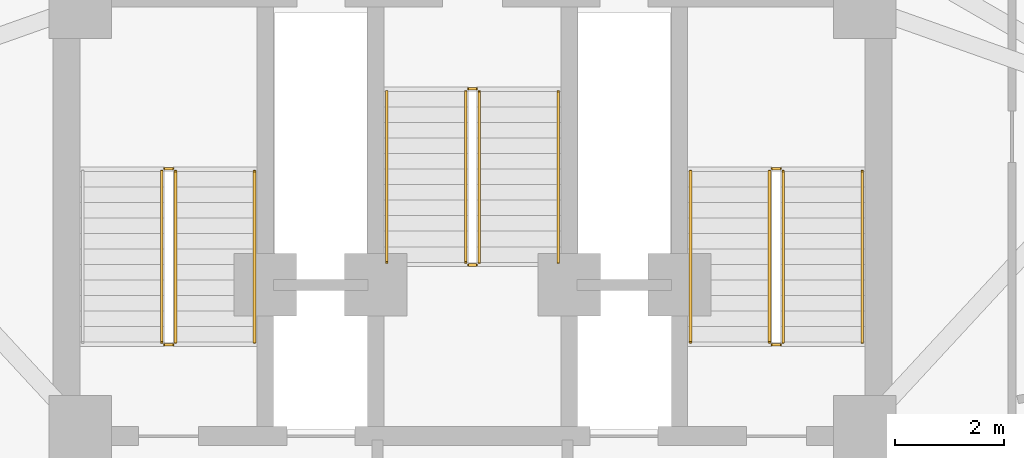
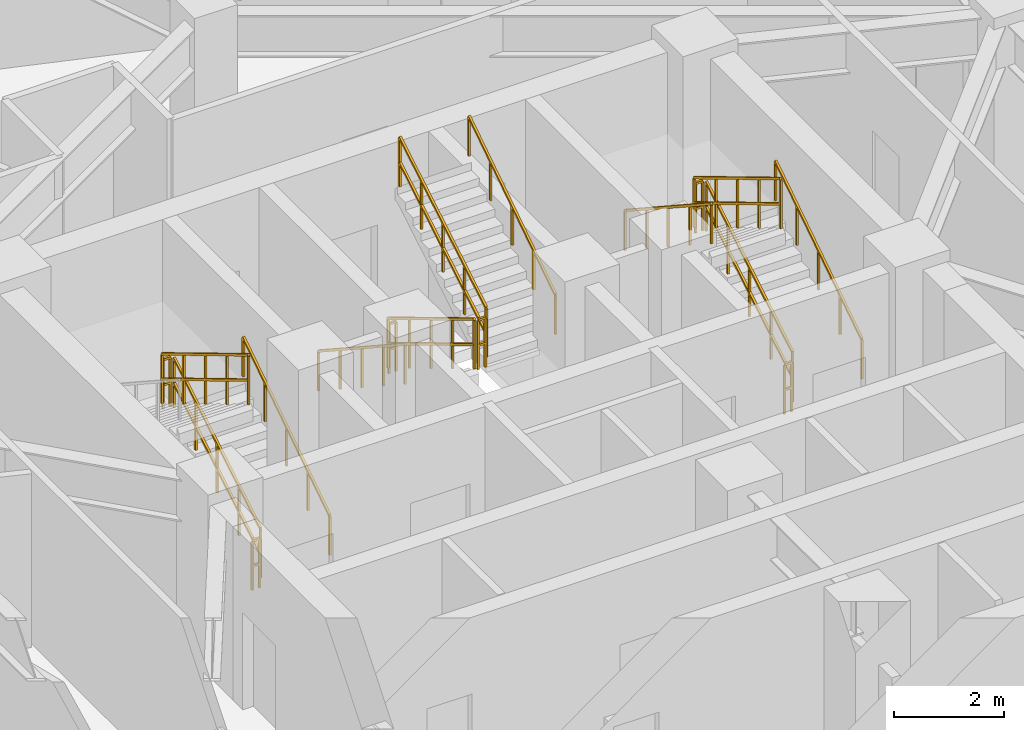
# One storey, part 11 of 12: 17 railings.
"""IFC4 building model written with IfcOpenShell, lengths in metres."""

from ifc_helpers import new_model, si_unit, direction, frame, origin, origin_2d, place, context, subcontext, project, spatial, rectangle, extrude, material, type_object, element, save


model = new_model("IFC4")

# Units and contexts
model_context = context("Model", 3, precision=1e-05, world=origin(), true_north=direction((0.0, 1.0)))
body_context = subcontext(model_context, "Body", "Model", "MODEL_VIEW")
ifc_project = project(units=[si_unit("LENGTHUNIT", "METRE"), si_unit("AREAUNIT", "SQUARE_METRE"), si_unit("VOLUMEUNIT", "CUBIC_METRE"), si_unit("PLANEANGLEUNIT", "RADIAN"), si_unit("MASSUNIT", "GRAM", prefix="KILO")], contexts=[model_context])

# Site, building, storey
site_placement = place(None, origin())
site = spatial("IfcSite", under=ifc_project, at=site_placement, CompositionType="ELEMENT")
building_placement = place(site_placement, origin())
building = spatial("IfcBuilding", under=site, at=building_placement, Name="Apsidion Concourse Tower", CompositionType="ELEMENT")
storey_placement = place(building_placement, frame((0.0, 0.0, 248.60009765625)))
storey = spatial("IfcBuildingStorey", under=building, at=storey_placement, Name="L58", CompositionType="ELEMENT", Elevation=248.60009765625)

# Railings
ifc_material = material(Name="Brushed stainless steel 316", Category="steel")
railing_type_1 = type_object("IfcRailingType", Name="RL-GUARD-1100", PredefinedType="GUARDRAIL", material=ifc_material)
railing_1_placement = place(storey_placement, frame((-5.449951171875, 3.0, 0.170654296875)))
element("IfcRailing", 1, at=railing_1_placement, inside=storey, type_object=railing_type_1, Name="L58 ST1 stair guard 1", PredefinedType="GUARDRAIL", context=body_context, shape_type="SweptSolid", body=[
    extrude(rectangle(XDim=0.048095703125, YDim=0.048095703125, at=origin_2d()), frame((0.0, 0.0, 1.09619140625), z_axis=(0.0, 0.857716804754, 0.514122439544), x_axis=(-1.0, 0.0, 0.0)), (0.0, 0.0, 1.0), 3.655029296875),
    extrude(rectangle(XDim=0.048095703125, YDim=0.048095703125, at=origin_2d()), frame((0.0, 0.0, 0.5361328125), z_axis=(0.0, 0.857716804754, 0.514122439544), x_axis=(-1.0, 0.0, 0.0)), (0.0, 0.0, 1.0), 3.655029296875),
    extrude(rectangle(XDim=0.0419921875, YDim=0.0419921875, at=origin_2d()), origin(), (0.0, 0.0, 1.0), 1.072021484375),
    extrude(rectangle(XDim=0.0419921875, YDim=0.0419921875, at=origin_2d()), frame((0.0, 0.78369140625, 0.4697265625)), (0.0, 0.0, 1.0), 1.072021484375),
    extrude(rectangle(XDim=0.0419921875, YDim=0.0419921875, at=origin_2d()), frame((0.0, 1.5673828125, 0.939453125)), (0.0, 0.0, 1.0), 1.072021484375),
    extrude(rectangle(XDim=0.0419921875, YDim=0.0419921875, at=origin_2d()), frame((0.0, 2.351318359375, 1.409423828125)), (0.0, 0.0, 1.0), 1.072021484375),
    extrude(rectangle(XDim=0.0419921875, YDim=0.0419921875, at=origin_2d()), frame((0.0, 3.135009765625, 1.879150390625)), (0.0, 0.0, 1.0), 1.072021484375),
])
railing_2_placement = place(storey_placement, frame((-5.5, 6.18505859375, 2.0498046875)))
element("IfcRailing", 2, at=railing_2_placement, inside=storey, type_object=railing_type_1, Name="L58 ST1 stair guard 2", PredefinedType="GUARDRAIL", context=body_context, shape_type="SweptSolid", body=[
    extrude(rectangle(XDim=0.048095703125, YDim=0.048095703125, at=origin_2d()), frame((0.0, 0.0, 1.09619140625), z_axis=(-1.0, 0.0, 0.0), x_axis=(0.0, -1.0, 0.0)), (0.0, 0.0, 1.0), 0.14990234375),
    extrude(rectangle(XDim=0.048095703125, YDim=0.048095703125, at=origin_2d()), frame((0.0, 0.0, 0.5361328125), z_axis=(-1.0, 0.0, 0.0), x_axis=(0.0, -1.0, 0.0)), (0.0, 0.0, 1.0), 0.14990234375),
    extrude(rectangle(XDim=0.0419921875, YDim=0.0419921875, at=origin_2d()), origin(), (0.0, 0.0, 1.0), 1.072021484375),
    extrude(rectangle(XDim=0.0419921875, YDim=0.0419921875, at=origin_2d()), frame((-0.14990234375, 0.0, 0.0)), (0.0, 0.0, 1.0), 1.072021484375),
])
railing_3_placement = place(storey_placement, frame((-5.699951171875, 6.135009765625, 2.220703125)))
element("IfcRailing", 3, at=railing_3_placement, inside=storey, type_object=railing_type_1, Name="L58 ST1 stair guard 3", PredefinedType="GUARDRAIL", context=body_context, shape_type="SweptSolid", body=[
    extrude(rectangle(XDim=0.048095703125, YDim=0.048095703125, at=origin_2d()), frame((0.0, 0.0, 1.09619140625), z_axis=(0.0, -0.857716804754, 0.514122439544), x_axis=(1.0, 0.0, 0.0)), (0.0, 0.0, 1.0), 3.655029296875),
    extrude(rectangle(XDim=0.048095703125, YDim=0.048095703125, at=origin_2d()), frame((0.0, 0.0, 0.5361328125), z_axis=(0.0, -0.857716804754, 0.514122439544), x_axis=(1.0, 0.0, 0.0)), (0.0, 0.0, 1.0), 3.655029296875),
    extrude(rectangle(XDim=0.0419921875, YDim=0.0419921875, at=origin_2d()), origin(), (0.0, 0.0, 1.0), 1.072021484375),
    extrude(rectangle(XDim=0.0419921875, YDim=0.0419921875, at=origin_2d()), frame((0.0, -0.78369140625, 0.4697265625)), (0.0, 0.0, 1.0), 1.072021484375),
    extrude(rectangle(XDim=0.0419921875, YDim=0.0419921875, at=origin_2d()), frame((0.0, -1.5673828125, 0.939453125)), (0.0, 0.0, 1.0), 1.072021484375),
    extrude(rectangle(XDim=0.0419921875, YDim=0.0419921875, at=origin_2d()), frame((0.0, -2.351318359375, 1.409423828125)), (0.0, 0.0, 1.0), 1.072021484375),
    extrude(rectangle(XDim=0.0419921875, YDim=0.0419921875, at=origin_2d()), frame((0.0, -3.135009765625, 1.879150390625)), (0.0, 0.0, 1.0), 1.072021484375),
])
railing_4_placement = place(storey_placement, frame((-5.5, 2.949951171875, 0.0)))
element("IfcRailing", 4, at=railing_4_placement, inside=storey, type_object=railing_type_1, Name="L58 ST1 stair guard 4", PredefinedType="GUARDRAIL", context=body_context, shape_type="SweptSolid", body=[
    extrude(rectangle(XDim=0.048095703125, YDim=0.048095703125, at=origin_2d()), frame((0.0, 0.0, 1.09619140625), z_axis=(-1.0, 0.0, 0.0), x_axis=(0.0, -1.0, 0.0)), (0.0, 0.0, 1.0), 0.14990234375),
    extrude(rectangle(XDim=0.048095703125, YDim=0.048095703125, at=origin_2d()), frame((0.0, 0.0, 0.5361328125), z_axis=(-1.0, 0.0, 0.0), x_axis=(0.0, -1.0, 0.0)), (0.0, 0.0, 1.0), 0.14990234375),
    extrude(rectangle(XDim=0.0419921875, YDim=0.0419921875, at=origin_2d()), origin(), (0.0, 0.0, 1.0), 1.072021484375),
    extrude(rectangle(XDim=0.0419921875, YDim=0.0419921875, at=origin_2d()), frame((-0.14990234375, 0.0, 0.0)), (0.0, 0.0, 1.0), 1.072021484375),
])
railing_5_placement = place(storey_placement, frame((5.699951171875, 3.0, 0.170654296875)))
element("IfcRailing", 5, at=railing_5_placement, inside=storey, type_object=railing_type_1, Name="L58 ST2 stair guard 1", PredefinedType="GUARDRAIL", context=body_context, shape_type="SweptSolid", body=[
    extrude(rectangle(XDim=0.048095703125, YDim=0.048095703125, at=origin_2d()), frame((0.0, 0.0, 1.09619140625), z_axis=(0.0, 0.857716804754, 0.514122439544), x_axis=(-1.0, 0.0, 0.0)), (0.0, 0.0, 1.0), 3.655029296875),
    extrude(rectangle(XDim=0.048095703125, YDim=0.048095703125, at=origin_2d()), frame((0.0, 0.0, 0.5361328125), z_axis=(0.0, 0.857716804754, 0.514122439544), x_axis=(-1.0, 0.0, 0.0)), (0.0, 0.0, 1.0), 3.655029296875),
    extrude(rectangle(XDim=0.0419921875, YDim=0.0419921875, at=origin_2d()), origin(), (0.0, 0.0, 1.0), 1.072021484375),
    extrude(rectangle(XDim=0.0419921875, YDim=0.0419921875, at=origin_2d()), frame((0.0, 0.78369140625, 0.4697265625)), (0.0, 0.0, 1.0), 1.072021484375),
    extrude(rectangle(XDim=0.0419921875, YDim=0.0419921875, at=origin_2d()), frame((0.0, 1.5673828125, 0.939453125)), (0.0, 0.0, 1.0), 1.072021484375),
    extrude(rectangle(XDim=0.0419921875, YDim=0.0419921875, at=origin_2d()), frame((0.0, 2.351318359375, 1.409423828125)), (0.0, 0.0, 1.0), 1.072021484375),
    extrude(rectangle(XDim=0.0419921875, YDim=0.0419921875, at=origin_2d()), frame((0.0, 3.135009765625, 1.879150390625)), (0.0, 0.0, 1.0), 1.072021484375),
])
railing_6_placement = place(storey_placement, frame((5.64990234375, 6.18505859375, 2.0498046875)))
element("IfcRailing", 6, at=railing_6_placement, inside=storey, type_object=railing_type_1, Name="L58 ST2 stair guard 2", PredefinedType="GUARDRAIL", context=body_context, shape_type="SweptSolid", body=[
    extrude(rectangle(XDim=0.048095703125, YDim=0.048095703125, at=origin_2d()), frame((0.0, 0.0, 1.09619140625), z_axis=(-1.0, 0.0, 0.0), x_axis=(0.0, -1.0, 0.0)), (0.0, 0.0, 1.0), 0.14990234375),
    extrude(rectangle(XDim=0.048095703125, YDim=0.048095703125, at=origin_2d()), frame((0.0, 0.0, 0.5361328125), z_axis=(-1.0, 0.0, 0.0), x_axis=(0.0, -1.0, 0.0)), (0.0, 0.0, 1.0), 0.14990234375),
    extrude(rectangle(XDim=0.0419921875, YDim=0.0419921875, at=origin_2d()), origin(), (0.0, 0.0, 1.0), 1.072021484375),
    extrude(rectangle(XDim=0.0419921875, YDim=0.0419921875, at=origin_2d()), frame((-0.14990234375, 0.0, 0.0)), (0.0, 0.0, 1.0), 1.072021484375),
])
railing_7_placement = place(storey_placement, frame((5.449951171875, 6.135009765625, 2.220703125)))
element("IfcRailing", 7, at=railing_7_placement, inside=storey, type_object=railing_type_1, Name="L58 ST2 stair guard 3", PredefinedType="GUARDRAIL", context=body_context, shape_type="SweptSolid", body=[
    extrude(rectangle(XDim=0.048095703125, YDim=0.048095703125, at=origin_2d()), frame((0.0, 0.0, 1.09619140625), z_axis=(0.0, -0.857716804754, 0.514122439544), x_axis=(1.0, 0.0, 0.0)), (0.0, 0.0, 1.0), 3.655029296875),
    extrude(rectangle(XDim=0.048095703125, YDim=0.048095703125, at=origin_2d()), frame((0.0, 0.0, 0.5361328125), z_axis=(0.0, -0.857716804754, 0.514122439544), x_axis=(1.0, 0.0, 0.0)), (0.0, 0.0, 1.0), 3.655029296875),
    extrude(rectangle(XDim=0.0419921875, YDim=0.0419921875, at=origin_2d()), origin(), (0.0, 0.0, 1.0), 1.072021484375),
    extrude(rectangle(XDim=0.0419921875, YDim=0.0419921875, at=origin_2d()), frame((0.0, -0.78369140625, 0.4697265625)), (0.0, 0.0, 1.0), 1.072021484375),
    extrude(rectangle(XDim=0.0419921875, YDim=0.0419921875, at=origin_2d()), frame((0.0, -1.5673828125, 0.939453125)), (0.0, 0.0, 1.0), 1.072021484375),
    extrude(rectangle(XDim=0.0419921875, YDim=0.0419921875, at=origin_2d()), frame((0.0, -2.351318359375, 1.409423828125)), (0.0, 0.0, 1.0), 1.072021484375),
    extrude(rectangle(XDim=0.0419921875, YDim=0.0419921875, at=origin_2d()), frame((0.0, -3.135009765625, 1.879150390625)), (0.0, 0.0, 1.0), 1.072021484375),
])
railing_8_placement = place(storey_placement, frame((5.64990234375, 2.949951171875, 0.0)))
element("IfcRailing", 8, at=railing_8_placement, inside=storey, type_object=railing_type_1, Name="L58 ST2 stair guard 4", PredefinedType="GUARDRAIL", context=body_context, shape_type="SweptSolid", body=[
    extrude(rectangle(XDim=0.048095703125, YDim=0.048095703125, at=origin_2d()), frame((0.0, 0.0, 1.09619140625), z_axis=(-1.0, 0.0, 0.0), x_axis=(0.0, -1.0, 0.0)), (0.0, 0.0, 1.0), 0.14990234375),
    extrude(rectangle(XDim=0.048095703125, YDim=0.048095703125, at=origin_2d()), frame((0.0, 0.0, 0.5361328125), z_axis=(-1.0, 0.0, 0.0), x_axis=(0.0, -1.0, 0.0)), (0.0, 0.0, 1.0), 0.14990234375),
    extrude(rectangle(XDim=0.0419921875, YDim=0.0419921875, at=origin_2d()), origin(), (0.0, 0.0, 1.0), 1.072021484375),
    extrude(rectangle(XDim=0.0419921875, YDim=0.0419921875, at=origin_2d()), frame((-0.14990234375, 0.0, 0.0)), (0.0, 0.0, 1.0), 1.072021484375),
])
railing_9_placement = place(storey_placement, frame((-0.125, 7.60009765625, 0.170654296875)))
element("IfcRailing", 9, at=railing_9_placement, inside=storey, type_object=railing_type_1, Name="L58 ST3 stair guard 1", PredefinedType="GUARDRAIL", context=body_context, shape_type="SweptSolid", body=[
    extrude(rectangle(XDim=0.048095703125, YDim=0.048095703125, at=origin_2d()), frame((0.0, 0.0, 1.09619140625), z_axis=(0.0, -0.857716804754, 0.514122439544), x_axis=(1.0, 0.0, 0.0)), (0.0, 0.0, 1.0), 3.655029296875),
    extrude(rectangle(XDim=0.048095703125, YDim=0.048095703125, at=origin_2d()), frame((0.0, 0.0, 0.5361328125), z_axis=(0.0, -0.857716804754, 0.514122439544), x_axis=(1.0, 0.0, 0.0)), (0.0, 0.0, 1.0), 3.655029296875),
    extrude(rectangle(XDim=0.0419921875, YDim=0.0419921875, at=origin_2d()), origin(), (0.0, 0.0, 1.0), 1.072021484375),
    extrude(rectangle(XDim=0.0419921875, YDim=0.0419921875, at=origin_2d()), frame((0.0, -0.78369140625, 0.4697265625)), (0.0, 0.0, 1.0), 1.072021484375),
    extrude(rectangle(XDim=0.0419921875, YDim=0.0419921875, at=origin_2d()), frame((0.0, -1.5673828125, 0.939453125)), (0.0, 0.0, 1.0), 1.072021484375),
    extrude(rectangle(XDim=0.0419921875, YDim=0.0419921875, at=origin_2d()), frame((0.0, -2.351318359375, 1.409423828125)), (0.0, 0.0, 1.0), 1.072021484375),
    extrude(rectangle(XDim=0.0419921875, YDim=0.0419921875, at=origin_2d()), frame((0.0, -3.135009765625, 1.879150390625)), (0.0, 0.0, 1.0), 1.072021484375),
])
railing_10_placement = place(storey_placement, frame((-0.074951171875, 4.4150390625, 2.0498046875)))
element("IfcRailing", 10, at=railing_10_placement, inside=storey, type_object=railing_type_1, Name="L58 ST3 stair guard 2", PredefinedType="GUARDRAIL", context=body_context, shape_type="SweptSolid", body=[
    extrude(rectangle(XDim=0.048095703125, YDim=0.048095703125, at=origin_2d()), frame((0.0, 0.0, 1.09619140625), z_axis=(1.0, 0.0, 0.0), x_axis=(0.0, 1.0, 0.0)), (0.0, 0.0, 1.0), 0.14990234375),
    extrude(rectangle(XDim=0.048095703125, YDim=0.048095703125, at=origin_2d()), frame((0.0, 0.0, 0.5361328125), z_axis=(1.0, 0.0, 0.0), x_axis=(0.0, 1.0, 0.0)), (0.0, 0.0, 1.0), 0.14990234375),
    extrude(rectangle(XDim=0.0419921875, YDim=0.0419921875, at=origin_2d()), origin(), (0.0, 0.0, 1.0), 1.072021484375),
    extrude(rectangle(XDim=0.0419921875, YDim=0.0419921875, at=origin_2d()), frame((0.14990234375, 0.0, 0.0)), (0.0, 0.0, 1.0), 1.072021484375),
])
railing_11_placement = place(storey_placement, frame((0.125, 4.465087890625, 2.220703125)))
element("IfcRailing", 11, at=railing_11_placement, inside=storey, type_object=railing_type_1, Name="L58 ST3 stair guard 3", PredefinedType="GUARDRAIL", context=body_context, shape_type="SweptSolid", body=[
    extrude(rectangle(XDim=0.048095703125, YDim=0.048095703125, at=origin_2d()), frame((0.0, 0.0, 1.09619140625), z_axis=(0.0, 0.857716804754, 0.514122439544), x_axis=(-1.0, 0.0, 0.0)), (0.0, 0.0, 1.0), 3.655029296875),
    extrude(rectangle(XDim=0.048095703125, YDim=0.048095703125, at=origin_2d()), frame((0.0, 0.0, 0.5361328125), z_axis=(0.0, 0.857716804754, 0.514122439544), x_axis=(-1.0, 0.0, 0.0)), (0.0, 0.0, 1.0), 3.655029296875),
    extrude(rectangle(XDim=0.0419921875, YDim=0.0419921875, at=origin_2d()), origin(), (0.0, 0.0, 1.0), 1.072021484375),
    extrude(rectangle(XDim=0.0419921875, YDim=0.0419921875, at=origin_2d()), frame((0.0, 0.78369140625, 0.4697265625)), (0.0, 0.0, 1.0), 1.072021484375),
    extrude(rectangle(XDim=0.0419921875, YDim=0.0419921875, at=origin_2d()), frame((0.0, 1.5673828125, 0.939453125)), (0.0, 0.0, 1.0), 1.072021484375),
    extrude(rectangle(XDim=0.0419921875, YDim=0.0419921875, at=origin_2d()), frame((0.0, 2.351318359375, 1.409423828125)), (0.0, 0.0, 1.0), 1.072021484375),
    extrude(rectangle(XDim=0.0419921875, YDim=0.0419921875, at=origin_2d()), frame((0.0, 3.135009765625, 1.879150390625)), (0.0, 0.0, 1.0), 1.072021484375),
])
railing_12_placement = place(storey_placement, frame((-0.074951171875, 7.64990234375, 0.0)))
element("IfcRailing", 12, at=railing_12_placement, inside=storey, type_object=railing_type_1, Name="L58 ST3 stair guard 4", PredefinedType="GUARDRAIL", context=body_context, shape_type="SweptSolid", body=[
    extrude(rectangle(XDim=0.048095703125, YDim=0.048095703125, at=origin_2d()), frame((0.0, 0.0, 1.09619140625), z_axis=(1.0, 0.0, 0.0), x_axis=(0.0, 1.0, 0.0)), (0.0, 0.0, 1.0), 0.14990234375),
    extrude(rectangle(XDim=0.048095703125, YDim=0.048095703125, at=origin_2d()), frame((0.0, 0.0, 0.5361328125), z_axis=(1.0, 0.0, 0.0), x_axis=(0.0, 1.0, 0.0)), (0.0, 0.0, 1.0), 0.14990234375),
    extrude(rectangle(XDim=0.0419921875, YDim=0.0419921875, at=origin_2d()), origin(), (0.0, 0.0, 1.0), 1.072021484375),
    extrude(rectangle(XDim=0.0419921875, YDim=0.0419921875, at=origin_2d()), frame((0.14990234375, 0.0, 0.0)), (0.0, 0.0, 1.0), 1.072021484375),
])
railing_type_2 = type_object("IfcRailingType", Name="RL-HAND-900", PredefinedType="HANDRAIL", material=ifc_material)
for number, where, name in (
    (13, (-4.0, 3.0, 0.170654296875), "L58 ST1 stair handrail 1"),
    (14, (7.14990234375, 3.0, 0.170654296875), "L58 ST2 stair handrail 1"),
):
    element("IfcRailing", number, at=place(storey_placement, frame(where)), inside=storey, type_object=railing_type_2, Name=name, PredefinedType="HANDRAIL", context=body_context, shape_type="SweptSolid", body=[
        extrude(rectangle(XDim=0.048095703125, YDim=0.048095703125, at=origin_2d()), frame((0.0, 0.0, 0.8759765625), z_axis=(0.0, 0.836940907821, 0.547293263996), x_axis=(-1.0, 0.0, 0.0)), (0.0, 0.0, 1.0), 3.745849609375),
        extrude(rectangle(XDim=0.0419921875, YDim=0.0419921875, at=origin_2d()), origin(), (0.0, 0.0, 1.0), 0.851806640625),
        extrude(rectangle(XDim=0.0419921875, YDim=0.0419921875, at=origin_2d()), frame((0.0, 0.78369140625, 0.512451171875)), (0.0, 0.0, 1.0), 0.851806640625),
        extrude(rectangle(XDim=0.0419921875, YDim=0.0419921875, at=origin_2d()), frame((0.0, 1.5673828125, 1.02490234375)), (0.0, 0.0, 1.0), 0.851806640625),
        extrude(rectangle(XDim=0.0419921875, YDim=0.0419921875, at=origin_2d()), frame((0.0, 2.351318359375, 1.53759765625)), (0.0, 0.0, 1.0), 0.851806640625),
        extrude(rectangle(XDim=0.0419921875, YDim=0.0419921875, at=origin_2d()), frame((0.0, 3.135009765625, 2.050048828125)), (0.0, 0.0, 1.0), 0.851806640625),
    ])
for number, where, name in (
    (15, (4.0, 6.135009765625, 2.220703125), "L58 ST2 stair handrail 2"),
    (16, (-1.574951171875, 7.60009765625, 0.170654296875), "L58 ST3 stair handrail 1"),
):
    element("IfcRailing", number, at=place(storey_placement, frame(where)), inside=storey, type_object=railing_type_2, Name=name, PredefinedType="HANDRAIL", context=body_context, shape_type="SweptSolid", body=[
        extrude(rectangle(XDim=0.048095703125, YDim=0.048095703125, at=origin_2d()), frame((0.0, 0.0, 0.8759765625), z_axis=(0.0, -0.836940907821, 0.547293263996), x_axis=(1.0, 0.0, 0.0)), (0.0, 0.0, 1.0), 3.745849609375),
        extrude(rectangle(XDim=0.0419921875, YDim=0.0419921875, at=origin_2d()), origin(), (0.0, 0.0, 1.0), 0.851806640625),
        extrude(rectangle(XDim=0.0419921875, YDim=0.0419921875, at=origin_2d()), frame((0.0, -0.78369140625, 0.512451171875)), (0.0, 0.0, 1.0), 0.851806640625),
        extrude(rectangle(XDim=0.0419921875, YDim=0.0419921875, at=origin_2d()), frame((0.0, -1.5673828125, 1.02490234375)), (0.0, 0.0, 1.0), 0.851806640625),
        extrude(rectangle(XDim=0.0419921875, YDim=0.0419921875, at=origin_2d()), frame((0.0, -2.351318359375, 1.53759765625)), (0.0, 0.0, 1.0), 0.851806640625),
        extrude(rectangle(XDim=0.0419921875, YDim=0.0419921875, at=origin_2d()), frame((0.0, -3.135009765625, 2.050048828125)), (0.0, 0.0, 1.0), 0.851806640625),
    ])
railing_13_placement = place(storey_placement, frame((1.574951171875, 4.465087890625, 2.220703125)))
element("IfcRailing", 17, at=railing_13_placement, inside=storey, type_object=railing_type_2, Name="L58 ST3 stair handrail 2", PredefinedType="HANDRAIL", context=body_context, shape_type="SweptSolid", body=[
    extrude(rectangle(XDim=0.048095703125, YDim=0.048095703125, at=origin_2d()), frame((0.0, 0.0, 0.8759765625), z_axis=(0.0, 0.836940907821, 0.547293263996), x_axis=(-1.0, 0.0, 0.0)), (0.0, 0.0, 1.0), 3.745849609375),
    extrude(rectangle(XDim=0.0419921875, YDim=0.0419921875, at=origin_2d()), origin(), (0.0, 0.0, 1.0), 0.851806640625),
    extrude(rectangle(XDim=0.0419921875, YDim=0.0419921875, at=origin_2d()), frame((0.0, 0.78369140625, 0.512451171875)), (0.0, 0.0, 1.0), 0.851806640625),
    extrude(rectangle(XDim=0.0419921875, YDim=0.0419921875, at=origin_2d()), frame((0.0, 1.5673828125, 1.02490234375)), (0.0, 0.0, 1.0), 0.851806640625),
    extrude(rectangle(XDim=0.0419921875, YDim=0.0419921875, at=origin_2d()), frame((0.0, 2.351318359375, 1.53759765625)), (0.0, 0.0, 1.0), 0.851806640625),
    extrude(rectangle(XDim=0.0419921875, YDim=0.0419921875, at=origin_2d()), frame((0.0, 3.135009765625, 2.050048828125)), (0.0, 0.0, 1.0), 0.851806640625),
])

save(model, "model.ifc")
